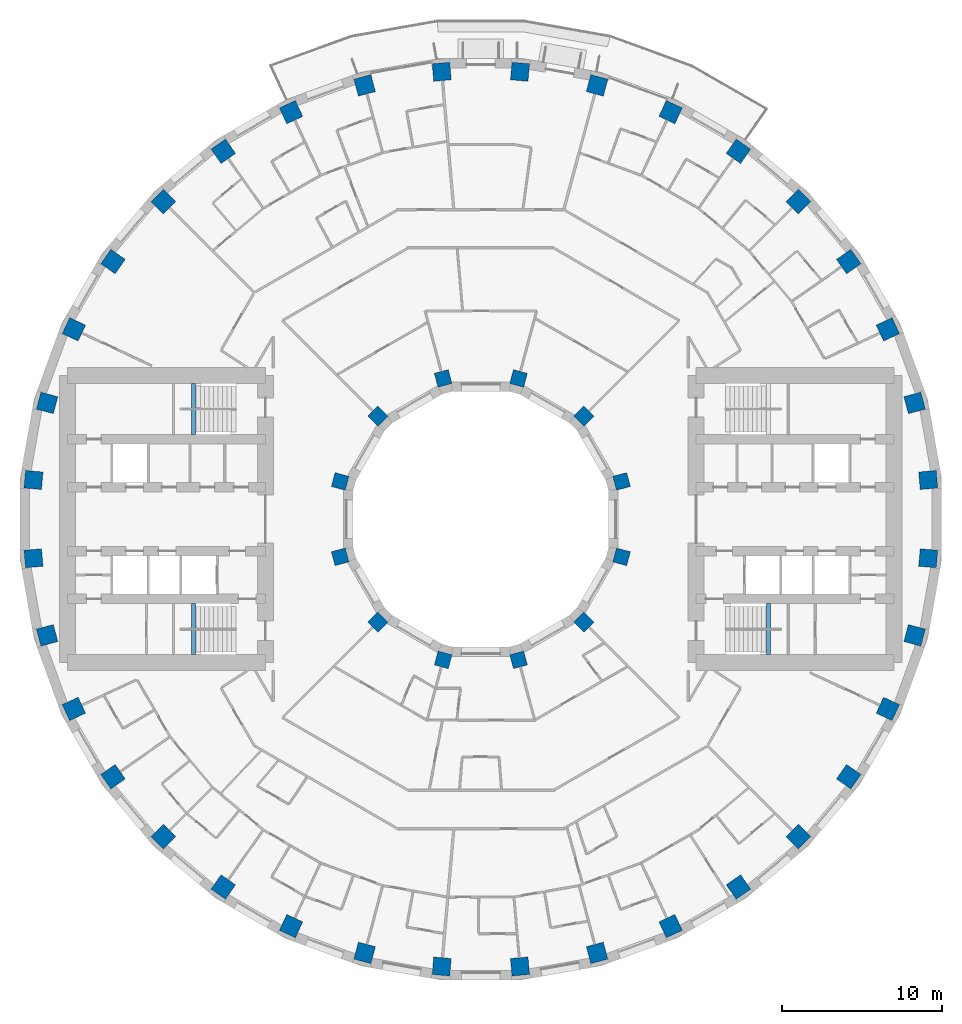
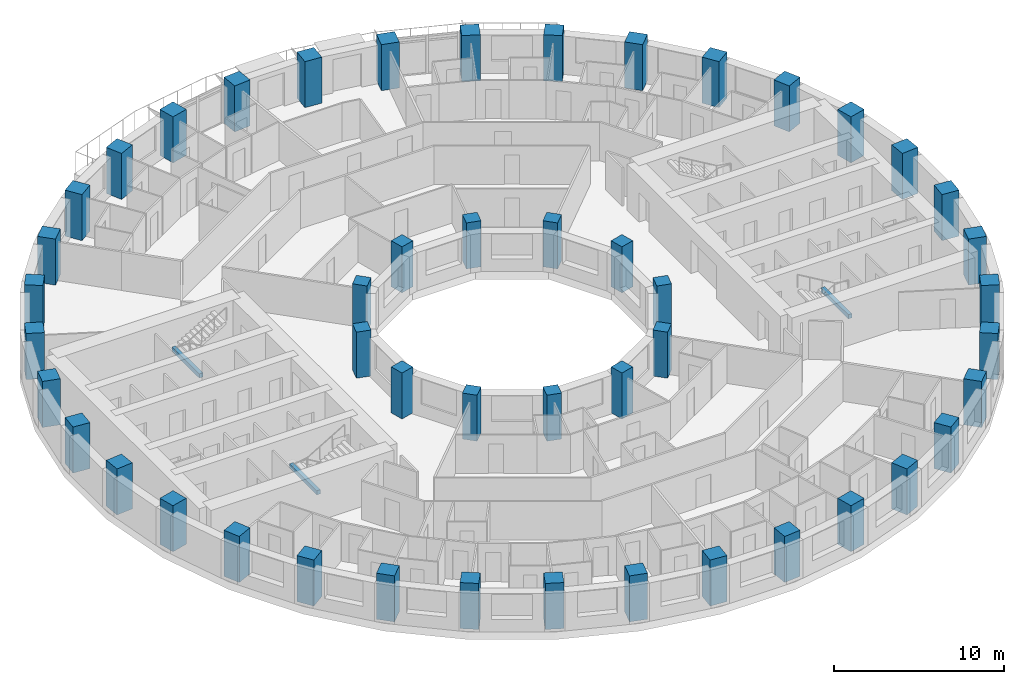
# One storey, part 1 of 15: 48 columns, 3 beams.
"""IFC4 building model written with IfcOpenShell, lengths in metres."""

from ifc_helpers import new_model, si_unit, direction, frame, origin, origin_2d, place, context, subcontext, project, spatial, rectangle, extrude, material, material_profile, profile_set, type_object, element, save


model = new_model("IFC4")

# Units and contexts
model_context = context("Model", 3, precision=1e-05, world=origin(), true_north=direction((0.0, 1.0)))
body_context = subcontext(model_context, "Body", "Model", "MODEL_VIEW")
ifc_project = project(units=[si_unit("LENGTHUNIT", "METRE"), si_unit("AREAUNIT", "SQUARE_METRE"), si_unit("VOLUMEUNIT", "CUBIC_METRE"), si_unit("PLANEANGLEUNIT", "RADIAN"), si_unit("MASSUNIT", "GRAM", prefix="KILO")], contexts=[model_context])

# Site, building, storey
site_placement = place(None, origin())
site = spatial("IfcSite", under=ifc_project, at=site_placement, CompositionType="ELEMENT")
building_placement = place(site_placement, origin())
building = spatial("IfcBuilding", under=site, at=building_placement, Name="Saqina Gate Tower", CompositionType="ELEMENT")
storey_placement = place(building_placement, frame((0.0, 0.0, 75.800048828125)))
storey = spatial("IfcBuildingStorey", under=building, at=storey_placement, Name="L21", CompositionType="ELEMENT", Elevation=75.800048828125)

# Columns
ifc_material_1 = material(Name="Concrete C70/85", Category="concrete")
ifc_material_profile_1 = material_profile(ifc_material_1, rectangle(XDim=0.89990234375, YDim=0.89990234375, at=origin_2d()), Name="RC 900x900")
ifc_profile_set_1 = profile_set([ifc_material_profile_1], Name="Concrete C70/85")
column_type_1 = type_object("IfcColumnType", Name="STR-COL-IN-A", PredefinedType="COLUMN", material=ifc_profile_set_1)
for number, where, z_axis, x_axis, name in (
    (1, (8.821044921875, 2.363525390625, 0.0), (0.0, 0.0, 1.0), (0.965925826289, 0.258819045103, 0.0), "L21-ICL01"),
    (2, (6.45751953125, 6.45751953125, 0.0), (0.0, 0.0, 1.0), (0.707106781187, 0.707106781187, 0.0), "L21-ICL02"),
    (3, (2.363525390625, 8.821044921875, 0.0), (0.0, 0.0, 1.0), (0.258819045103, 0.965925826289, 0.0), "L21-ICL03"),
    (4, (-2.363525390625, 8.821044921875, 0.0), (0.0, 0.0, 1.0), (-0.258819045103, 0.965925826289, 0.0), "L21-ICL04"),
    (5, (-6.45751953125, 6.45751953125, 0.0), (0.0, 0.0, 1.0), (-0.707106781187, 0.707106781187, 0.0), "L21-ICL05"),
    (6, (-8.821044921875, 2.363525390625, 0.0), (0.0, 0.0, 1.0), (-0.965925826289, 0.258819045103, 0.0), "L21-ICL06"),
    (7, (-8.821044921875, -2.363525390625, 0.0), (0.0, 0.0, 1.0), (-0.965925826289, -0.258819045103, 0.0), "L21-ICL07"),
    (8, (-6.45751953125, -6.45751953125, 0.0), (0.0, 0.0, 1.0), (-0.707106781187, -0.707106781187, 0.0), "L21-ICL08"),
    (9, (-2.363525390625, -8.821044921875, 0.0), (0.0, 0.0, 1.0), (-0.258819045103, -0.965925826289, 0.0), "L21-ICL09"),
    (10, (2.363525390625, -8.821044921875, 0.0), (0.0, 0.0, 1.0), (0.258819045103, -0.965925826289, 0.0), "L21-ICL10"),
    (11, (6.45751953125, -6.45751953125, 0.0), (0.0, 0.0, 1.0), (0.707106781187, -0.707106781187, 0.0), "L21-ICL11"),
    (12, (8.821044921875, -2.363525390625, 0.0), (0.0, 0.0, 1.0), (0.965925826289, -0.258819045103, 0.0), "L21-ICL12"),
):
    element("IfcColumn", number, at=place(storey_placement, frame(where, z_axis=z_axis, x_axis=x_axis)), inside=storey, type_object=column_type_1, Name=name, PredefinedType="COLUMN", context=body_context, shape_type="SweptSolid", body=[
        extrude(rectangle(XDim=0.89990234375, YDim=0.89990234375, at=origin_2d()), origin(), (0.0, 0.0, 1.0), 3.300048828125),
    ])
ifc_material_2 = material(Name="Concrete C70/85", Category="concrete")
ifc_material_profile_2 = material_profile(ifc_material_2, rectangle(XDim=1.10009765625, YDim=1.10009765625, at=origin_2d()), Name="RC 1100x1100")
ifc_profile_set_2 = profile_set([ifc_material_profile_2], Name="Concrete C70/85")
column_type_2 = type_object("IfcColumnType", Name="STR-COL-OUT-A", PredefinedType="COLUMN", material=ifc_profile_set_2)
for number, where, z_axis, x_axis, name in (
    (13, (28.04296875, 2.453369140625, 0.0), (0.0, 0.0, 1.0), (0.996194698092, 0.087155742748, 0.0), "L21-COL01"),
    (14, (27.19091796875, 7.28564453125, 0.0), (0.0, 0.0, 1.0), (0.965925826289, 0.258819045103, 0.0), "L21-COL02"),
    (15, (25.512451171875, 11.896728515625, 0.0), (0.0, 0.0, 1.0), (0.906307787037, 0.422618261741, 0.0), "L21-COL03"),
    (16, (23.05908203125, 16.146240234375, 0.0), (0.0, 0.0, 1.0), (0.819152044289, 0.573576436351, 0.0), "L21-COL04"),
    (17, (19.905029296875, 19.905029296875, 0.0), (0.0, 0.0, 1.0), (0.707106781187, 0.707106781187, 0.0), "L21-COL05"),
    (18, (16.146240234375, 23.05908203125, 0.0), (0.0, 0.0, 1.0), (0.573576436351, 0.819152044289, 0.0), "L21-COL06"),
    (19, (11.896728515625, 25.512451171875, 0.0), (0.0, 0.0, 1.0), (0.422618261741, 0.906307787037, 0.0), "L21-COL07"),
    (20, (7.28564453125, 27.19091796875, 0.0), (0.0, 0.0, 1.0), (0.258819045103, 0.965925826289, 0.0), "L21-COL08"),
    (21, (2.453369140625, 28.04296875, 0.0), (0.0, 0.0, 1.0), (0.087155742748, 0.996194698092, 0.0), "L21-COL09"),
    (22, (-2.453369140625, 28.04296875, 0.0), (0.0, 0.0, 1.0), (-0.087155742748, 0.996194698092, 0.0), "L21-COL10"),
    (23, (-7.28564453125, 27.19091796875, 0.0), (0.0, 0.0, 1.0), (-0.258819045103, 0.965925826289, 0.0), "L21-COL11"),
    (24, (-11.896728515625, 25.512451171875, 0.0), (0.0, 0.0, 1.0), (-0.422618261741, 0.906307787037, 0.0), "L21-COL12"),
    (25, (-16.146240234375, 23.05908203125, 0.0), (0.0, 0.0, 1.0), (-0.573576436351, 0.819152044289, 0.0), "L21-COL13"),
    (26, (-19.905029296875, 19.905029296875, 0.0), (0.0, 0.0, 1.0), (-0.707106781187, 0.707106781187, 0.0), "L21-COL14"),
    (27, (-23.05908203125, 16.146240234375, 0.0), (0.0, 0.0, 1.0), (-0.819152044289, 0.573576436351, 0.0), "L21-COL15"),
    (28, (-25.512451171875, 11.896728515625, 0.0), (0.0, 0.0, 1.0), (-0.906307787037, 0.422618261741, 0.0), "L21-COL16"),
    (29, (-27.19091796875, 7.28564453125, 0.0), (0.0, 0.0, 1.0), (-0.965925826289, 0.258819045103, 0.0), "L21-COL17"),
    (30, (-28.04296875, 2.453369140625, 0.0), (0.0, 0.0, 1.0), (-0.996194698092, 0.087155742748, 0.0), "L21-COL18"),
    (31, (-28.04296875, -2.453369140625, 0.0), (0.0, 0.0, 1.0), (-0.996194698092, -0.087155742748, 0.0), "L21-COL19"),
    (32, (-27.19091796875, -7.28564453125, 0.0), (0.0, 0.0, 1.0), (-0.965925826289, -0.258819045103, 0.0), "L21-COL20"),
    (33, (-25.512451171875, -11.896728515625, 0.0), (0.0, 0.0, 1.0), (-0.906307787037, -0.422618261741, 0.0), "L21-COL21"),
    (34, (-23.05908203125, -16.146240234375, 0.0), (0.0, 0.0, 1.0), (-0.819152044289, -0.573576436351, 0.0), "L21-COL22"),
    (35, (-19.905029296875, -19.905029296875, 0.0), (0.0, 0.0, 1.0), (-0.707106781187, -0.707106781187, 0.0), "L21-COL23"),
    (36, (-16.146240234375, -23.05908203125, 0.0), (0.0, 0.0, 1.0), (-0.573576436351, -0.819152044289, 0.0), "L21-COL24"),
    (37, (-11.896728515625, -25.512451171875, 0.0), (0.0, 0.0, 1.0), (-0.422618261741, -0.906307787037, 0.0), "L21-COL25"),
    (38, (-7.28564453125, -27.19091796875, 0.0), (0.0, 0.0, 1.0), (-0.258819045103, -0.965925826289, 0.0), "L21-COL26"),
    (39, (-2.453369140625, -28.04296875, 0.0), (0.0, 0.0, 1.0), (-0.087155742748, -0.996194698092, 0.0), "L21-COL27"),
    (40, (2.453369140625, -28.04296875, 0.0), (0.0, 0.0, 1.0), (0.087155742748, -0.996194698092, 0.0), "L21-COL28"),
    (41, (7.28564453125, -27.19091796875, 0.0), (0.0, 0.0, 1.0), (0.258819045103, -0.965925826289, 0.0), "L21-COL29"),
    (42, (11.896728515625, -25.512451171875, 0.0), (0.0, 0.0, 1.0), (0.422618261741, -0.906307787037, 0.0), "L21-COL30"),
    (43, (16.146240234375, -23.05908203125, 0.0), (0.0, 0.0, 1.0), (0.573576436351, -0.819152044289, 0.0), "L21-COL31"),
    (44, (19.905029296875, -19.905029296875, 0.0), (0.0, 0.0, 1.0), (0.707106781187, -0.707106781187, 0.0), "L21-COL32"),
    (45, (23.05908203125, -16.146240234375, 0.0), (0.0, 0.0, 1.0), (0.819152044289, -0.573576436351, 0.0), "L21-COL33"),
    (46, (25.512451171875, -11.896728515625, 0.0), (0.0, 0.0, 1.0), (0.906307787037, -0.422618261741, 0.0), "L21-COL34"),
    (47, (27.19091796875, -7.28564453125, 0.0), (0.0, 0.0, 1.0), (0.965925826289, -0.258819045103, 0.0), "L21-COL35"),
    (48, (28.04296875, -2.453369140625, 0.0), (0.0, 0.0, 1.0), (0.996194698092, -0.087155742748, 0.0), "L21-COL36"),
):
    element("IfcColumn", number, at=place(storey_placement, frame(where, z_axis=z_axis, x_axis=x_axis)), inside=storey, type_object=column_type_2, Name=name, PredefinedType="COLUMN", context=body_context, shape_type="SweptSolid", body=[
        extrude(rectangle(XDim=1.10009765625, YDim=1.10009765625, at=origin_2d()), origin(), (0.0, 0.0, 1.0), 3.300048828125),
    ])

# Beams
ifc_material_3 = material(Name="Concrete C40/50", Category="concrete")
ifc_material_profile_3 = material_profile(ifc_material_3, rectangle(XDim=0.25, YDim=0.300048828125, at=origin_2d()), Name="STAIR LANDING BEAM")
ifc_profile_set_3 = profile_set([ifc_material_profile_3], Name="Concrete C40/50")
beam_type = type_object("IfcBeamType", Name="STAIR LANDING BEAM", PredefinedType="BEAM", material=ifc_profile_set_3)
for number, where, z_axis, x_axis, name in (
    (49, (18.02001953125, -8.5, 1.25), (0.0, 1.0, 0.0), (-1.0, 0.0, 0.0), "EXIT STAIR 2 LANDING BEAM"),
    (50, (-18.02001953125, 5.300048828125, 1.25), (0.0, 1.0, 0.0), (-1.0, 0.0, 0.0), "EXIT STAIR 3 LANDING BEAM"),
    (51, (-18.02001953125, -8.5, 1.25), (0.0, 1.0, 0.0), (-1.0, 0.0, 0.0), "EXIT STAIR 4 LANDING BEAM"),
):
    element("IfcBeam", number, at=place(storey_placement, frame(where, z_axis=z_axis, x_axis=x_axis)), inside=storey, type_object=beam_type, Name=name, PredefinedType="BEAM", context=body_context, shape_type="SweptSolid", body=[
        extrude(rectangle(XDim=0.25, YDim=0.300048828125, at=origin_2d()), origin(), (0.0, 0.0, 1.0), 3.199951171875),
    ])

save(model, "model.ifc")
